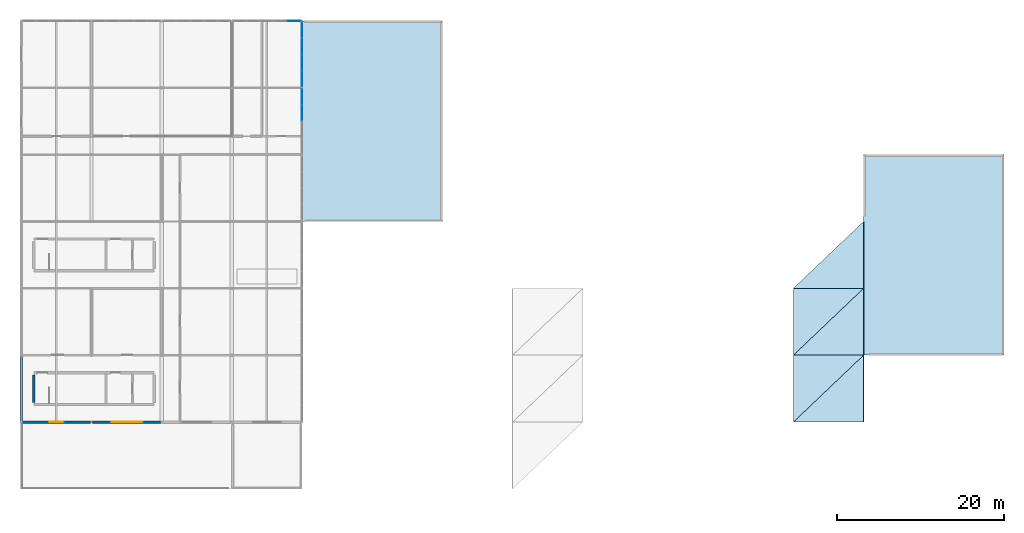
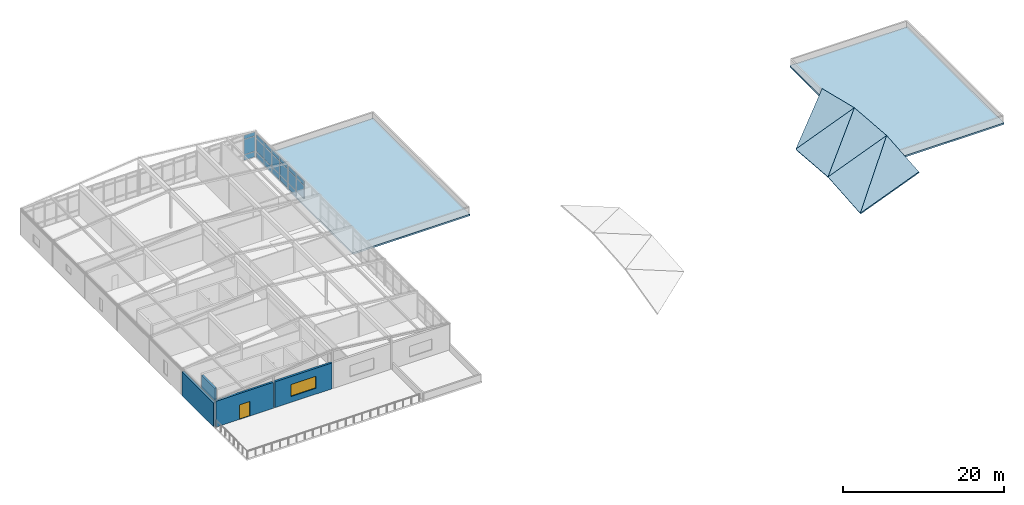
# One storey, part 17 of 25: 20 plates, 7 slabs, 4 walls, 1 door, 1 window, 2 openings, 3 elements without a shape of their own.
"""IFC4 building model written with IfcOpenShell, lengths in metres."""

from ifc_helpers import new_model, si_unit, direction, frame, frame_2d, origin, origin_2d, place, context, subcontext, project, spatial, polyline, rectangle, outline, extrude, material, layer, layer_set, type_object, element, fill, aggregate, save


model = new_model("IFC4")

# Units and contexts
model_context = context("Model", 3, precision=1e-05, world=origin(), true_north=direction((0.0, 1.0)))
body_context = subcontext(model_context, "Body", "Model", "MODEL_VIEW")
ifc_project = project(units=[si_unit("LENGTHUNIT", "METRE"), si_unit("AREAUNIT", "SQUARE_METRE"), si_unit("VOLUMEUNIT", "CUBIC_METRE"), si_unit("PLANEANGLEUNIT", "RADIAN"), si_unit("MASSUNIT", "GRAM", prefix="KILO")], contexts=[model_context])

# Site, building, storey
site_placement = place(None, origin())
site = spatial("IfcSite", under=ifc_project, at=site_placement, CompositionType="ELEMENT")
building_placement = place(site_placement, origin())
building = spatial("IfcBuilding", under=site, at=building_placement, Name="Kranzveld Transit Interchange", CompositionType="ELEMENT")
storey_placement = place(building_placement, frame((0.0, 0.0, 21.0400390625)))
storey = spatial("IfcBuildingStorey", under=building, at=storey_placement, Name="L05", CompositionType="ELEMENT", Elevation=21.0400390625)

# Curtain wall, plates
ifc_material_1 = material(Name="Bronze-anodised thermally broken aluminium", Category="aluminium")
ifc_layer_1 = layer(ifc_material_1, 0.18505859375)
ifc_layer_set_1 = layer_set([ifc_layer_1], Name="Bronze-anodised thermally broken aluminium")
curtain_wall_type = type_object("IfcCurtainWallType", Name="Control Crown Observation Facade CW-5", PredefinedType="USERDEFINED", material=ifc_layer_set_1)
curtain_wall_1_placement = place(storey_placement, origin())
curtain_wall_1 = element("IfcCurtainWall", 1, at=curtain_wall_1_placement, inside=storey, type_object=curtain_wall_type, Name="L05 Curtain Wall 05/N-05/P", ObjectType="CURTAIN WALL", PredefinedType="USERDEFINED")
ifc_material_2 = material(Name="Solar-control double glazing", Category="glass")
ifc_layer_2 = layer(ifc_material_2, 0.035888671875)
ifc_layer_set_2 = layer_set([ifc_layer_2], Name="Solar-control double glazing")
plate_type = type_object("IfcPlateType", Name="Curtain Panel Triple Glazing 36", PredefinedType="CURTAIN_PANEL", material=ifc_layer_set_2)
plate_1_placement = place(storey_placement, frame((33.60009765625, 100.97509765625, 0.932373046875), z_axis=(0.0, 0.0, 1.0), x_axis=(0.0, 1.0, 0.0)))
plate_1 = element("IfcPlate", 2, at=plate_1_placement, type_object=plate_type, Name="CW-5 panel 3.2", PredefinedType="CURTAIN_PANEL", context=body_context, shape_type="SweptSolid", body=[
    extrude(rectangle(XDim=1.885009765625, YDim=0.035888671875, at=origin_2d()), origin(), (0.0, 0.0, 1.0), 1.955078125),
])
plate_2_placement = place(storey_placement, frame((33.60009765625, 100.97509765625, 2.952392578125), z_axis=(0.0, 0.0, 1.0), x_axis=(0.0, 1.0, 0.0)))
plate_2 = element("IfcPlate", 3, at=plate_2_placement, type_object=plate_type, Name="CW-5 panel 3.3", PredefinedType="CURTAIN_PANEL", context=body_context, shape_type="SweptSolid", body=[
    extrude(rectangle(XDim=1.885009765625, YDim=0.035888671875, at=origin_2d()), origin(), (0.0, 0.0, 1.0), 0.6025390625),
])
plate_3_placement = place(storey_placement, frame((33.60009765625, 102.90869140625, 0.06494140625), z_axis=(0.0, 0.0, 1.0), x_axis=(0.0, 1.0, 0.0)))
plate_3 = element("IfcPlate", 4, at=plate_3_placement, type_object=plate_type, Name="CW-5 panel 4.1", PredefinedType="CURTAIN_PANEL", context=body_context, shape_type="SweptSolid", body=[
    extrude(rectangle(XDim=1.8525390625, YDim=0.035888671875, at=origin_2d()), origin(), (0.0, 0.0, 1.0), 0.802490234375),
])
plate_4_placement = place(storey_placement, frame((33.60009765625, 102.90869140625, 0.932373046875), z_axis=(0.0, 0.0, 1.0), x_axis=(0.0, 1.0, 0.0)))
plate_4 = element("IfcPlate", 5, at=plate_4_placement, type_object=plate_type, Name="CW-5 panel 4.2", PredefinedType="CURTAIN_PANEL", context=body_context, shape_type="SweptSolid", body=[
    extrude(rectangle(XDim=1.8525390625, YDim=0.035888671875, at=origin_2d()), origin(), (0.0, 0.0, 1.0), 1.955078125),
])
plate_5_placement = place(storey_placement, frame((33.60009765625, 102.90869140625, 2.952392578125), z_axis=(0.0, 0.0, 1.0), x_axis=(0.0, 1.0, 0.0)))
plate_5 = element("IfcPlate", 6, at=plate_5_placement, type_object=plate_type, Name="CW-5 panel 4.3", PredefinedType="CURTAIN_PANEL", context=body_context, shape_type="SweptSolid", body=[
    extrude(rectangle(XDim=1.8525390625, YDim=0.035888671875, at=origin_2d()), origin(), (0.0, 0.0, 1.0), 0.6025390625),
])
aggregate(curtain_wall_1, [plate_1, plate_2, plate_3, plate_4, plate_5])

curtain_wall_2_placement = place(storey_placement, origin())
curtain_wall_2 = element("IfcCurtainWall", 7, at=curtain_wall_2_placement, inside=storey, type_object=curtain_wall_type, Name="L05 Curtain Wall 05/P-05/Q", ObjectType="CURTAIN WALL", PredefinedType="USERDEFINED")
plate_6_placement = place(storey_placement, frame((33.60009765625, 105.09130859375, 0.06494140625), z_axis=(0.0, 0.0, 1.0), x_axis=(0.0, 1.0, 0.0)))
plate_6 = element("IfcPlate", 8, at=plate_6_placement, type_object=plate_type, Name="CW-5 panel 1.1", PredefinedType="CURTAIN_PANEL", context=body_context, shape_type="SweptSolid", body=[
    extrude(rectangle(XDim=1.8525390625, YDim=0.035888671875, at=origin_2d()), origin(), (0.0, 0.0, 1.0), 0.802490234375),
])
plate_7_placement = place(storey_placement, frame((33.60009765625, 105.09130859375, 0.932373046875), z_axis=(0.0, 0.0, 1.0), x_axis=(0.0, 1.0, 0.0)))
plate_7 = element("IfcPlate", 9, at=plate_7_placement, type_object=plate_type, Name="CW-5 panel 1.2", PredefinedType="CURTAIN_PANEL", context=body_context, shape_type="SweptSolid", body=[
    extrude(rectangle(XDim=1.8525390625, YDim=0.035888671875, at=origin_2d()), origin(), (0.0, 0.0, 1.0), 1.955078125),
])
plate_8_placement = place(storey_placement, frame((33.60009765625, 105.09130859375, 2.952392578125), z_axis=(0.0, 0.0, 1.0), x_axis=(0.0, 1.0, 0.0)))
plate_8 = element("IfcPlate", 10, at=plate_8_placement, type_object=plate_type, Name="CW-5 panel 1.3", PredefinedType="CURTAIN_PANEL", context=body_context, shape_type="SweptSolid", body=[
    extrude(rectangle(XDim=1.8525390625, YDim=0.035888671875, at=origin_2d()), origin(), (0.0, 0.0, 1.0), 0.6025390625),
])
plate_9_placement = place(storey_placement, frame((33.60009765625, 107.02490234375, 0.06494140625), z_axis=(0.0, 0.0, 1.0), x_axis=(0.0, 1.0, 0.0)))
plate_9 = element("IfcPlate", 11, at=plate_9_placement, type_object=plate_type, Name="CW-5 panel 2.1", PredefinedType="CURTAIN_PANEL", context=body_context, shape_type="SweptSolid", body=[
    extrude(rectangle(XDim=1.885009765625, YDim=0.035888671875, at=origin_2d()), origin(), (0.0, 0.0, 1.0), 0.802490234375),
])
plate_10_placement = place(storey_placement, frame((33.60009765625, 107.02490234375, 0.932373046875), z_axis=(0.0, 0.0, 1.0), x_axis=(0.0, 1.0, 0.0)))
plate_10 = element("IfcPlate", 12, at=plate_10_placement, type_object=plate_type, Name="CW-5 panel 2.2", PredefinedType="CURTAIN_PANEL", context=body_context, shape_type="SweptSolid", body=[
    extrude(rectangle(XDim=1.885009765625, YDim=0.035888671875, at=origin_2d()), origin(), (0.0, 0.0, 1.0), 1.955078125),
])
plate_11_placement = place(storey_placement, frame((33.60009765625, 107.02490234375, 2.952392578125), z_axis=(0.0, 0.0, 1.0), x_axis=(0.0, 1.0, 0.0)))
plate_11 = element("IfcPlate", 13, at=plate_11_placement, type_object=plate_type, Name="CW-5 panel 2.3", PredefinedType="CURTAIN_PANEL", context=body_context, shape_type="SweptSolid", body=[
    extrude(rectangle(XDim=1.885009765625, YDim=0.035888671875, at=origin_2d()), origin(), (0.0, 0.0, 1.0), 0.6025390625),
])
plate_12_placement = place(storey_placement, frame((33.60009765625, 108.97509765625, 0.06494140625), z_axis=(0.0, 0.0, 1.0), x_axis=(0.0, 1.0, 0.0)))
plate_12 = element("IfcPlate", 14, at=plate_12_placement, type_object=plate_type, Name="CW-5 panel 3.1", PredefinedType="CURTAIN_PANEL", context=body_context, shape_type="SweptSolid", body=[
    extrude(rectangle(XDim=1.885009765625, YDim=0.035888671875, at=origin_2d()), origin(), (0.0, 0.0, 1.0), 0.802490234375),
])
plate_13_placement = place(storey_placement, frame((33.60009765625, 108.97509765625, 0.932373046875), z_axis=(0.0, 0.0, 1.0), x_axis=(0.0, 1.0, 0.0)))
plate_13 = element("IfcPlate", 15, at=plate_13_placement, type_object=plate_type, Name="CW-5 panel 3.2", PredefinedType="CURTAIN_PANEL", context=body_context, shape_type="SweptSolid", body=[
    extrude(rectangle(XDim=1.885009765625, YDim=0.035888671875, at=origin_2d()), origin(), (0.0, 0.0, 1.0), 1.955078125),
])
plate_14_placement = place(storey_placement, frame((33.60009765625, 108.97509765625, 2.952392578125), z_axis=(0.0, 0.0, 1.0), x_axis=(0.0, 1.0, 0.0)))
plate_14 = element("IfcPlate", 16, at=plate_14_placement, type_object=plate_type, Name="CW-5 panel 3.3", PredefinedType="CURTAIN_PANEL", context=body_context, shape_type="SweptSolid", body=[
    extrude(rectangle(XDim=1.885009765625, YDim=0.035888671875, at=origin_2d()), origin(), (0.0, 0.0, 1.0), 0.6025390625),
])
plate_15_placement = place(storey_placement, frame((33.60009765625, 110.90869140625, 0.06494140625), z_axis=(0.0, 0.0, 1.0), x_axis=(0.0, 1.0, 0.0)))
plate_15 = element("IfcPlate", 17, at=plate_15_placement, type_object=plate_type, Name="CW-5 panel 4.1", PredefinedType="CURTAIN_PANEL", context=body_context, shape_type="SweptSolid", body=[
    extrude(rectangle(XDim=1.8525390625, YDim=0.035888671875, at=origin_2d()), origin(), (0.0, 0.0, 1.0), 0.802490234375),
])
plate_16_placement = place(storey_placement, frame((33.60009765625, 110.90869140625, 0.932373046875), z_axis=(0.0, 0.0, 1.0), x_axis=(0.0, 1.0, 0.0)))
plate_16 = element("IfcPlate", 18, at=plate_16_placement, type_object=plate_type, Name="CW-5 panel 4.2", PredefinedType="CURTAIN_PANEL", context=body_context, shape_type="SweptSolid", body=[
    extrude(rectangle(XDim=1.8525390625, YDim=0.035888671875, at=origin_2d()), origin(), (0.0, 0.0, 1.0), 1.955078125),
])
plate_17_placement = place(storey_placement, frame((33.60009765625, 110.90869140625, 2.952392578125), z_axis=(0.0, 0.0, 1.0), x_axis=(0.0, 1.0, 0.0)))
plate_17 = element("IfcPlate", 19, at=plate_17_placement, type_object=plate_type, Name="CW-5 panel 4.3", PredefinedType="CURTAIN_PANEL", context=body_context, shape_type="SweptSolid", body=[
    extrude(rectangle(XDim=1.8525390625, YDim=0.035888671875, at=origin_2d()), origin(), (0.0, 0.0, 1.0), 0.6025390625),
])
aggregate(curtain_wall_2, [plate_6, plate_7, plate_8, plate_9, plate_10, plate_11, plate_12, plate_13, plate_14, plate_15, plate_16, plate_17])

curtain_wall_3_placement = place(storey_placement, origin())
curtain_wall_3 = element("IfcCurtainWall", 20, at=curtain_wall_3_placement, inside=storey, type_object=curtain_wall_type, Name="L05 Curtain Wall 04/Q-05/Q", ObjectType="CURTAIN WALL", PredefinedType="USERDEFINED")
plate_18_placement = place(storey_placement, frame((32.663818359375, 112.0, 0.06494140625), z_axis=(0.0, 0.0, 1.0), x_axis=(1.0, 0.0, 0.0)))
plate_18 = element("IfcPlate", 21, at=plate_18_placement, type_object=plate_type, Name="CW-5 panel 5.1", PredefinedType="CURTAIN_PANEL", context=body_context, shape_type="SweptSolid", body=[
    extrude(rectangle(XDim=1.542236328125, YDim=0.035888671875, at=origin_2d()), origin(), (0.0, 0.0, 1.0), 0.802490234375),
])
plate_19_placement = place(storey_placement, frame((32.663818359375, 112.0, 0.9326171875), z_axis=(0.0, 0.0, 1.0), x_axis=(1.0, 0.0, 0.0)))
plate_19 = element("IfcPlate", 22, at=plate_19_placement, type_object=plate_type, Name="CW-5 panel 5.2", PredefinedType="CURTAIN_PANEL", context=body_context, shape_type="SweptSolid", body=[
    extrude(rectangle(XDim=1.542236328125, YDim=0.035888671875, at=origin_2d()), origin(), (0.0, 0.0, 1.0), 2.2548828125),
])
plate_20_placement = place(storey_placement, frame((32.663818359375, 112.0, 3.25244140625), z_axis=(0.0, 0.0, 1.0), x_axis=(1.0, 0.0, 0.0)))
plate_20 = element("IfcPlate", 23, at=plate_20_placement, type_object=plate_type, Name="CW-5 panel 5.3", PredefinedType="CURTAIN_PANEL", context=body_context, shape_type="SweptSolid", body=[
    extrude(rectangle(XDim=1.542236328125, YDim=0.035888671875, at=origin_2d()), origin(), (0.0, 0.0, 1.0), 0.6025390625),
])
aggregate(curtain_wall_3, [plate_18, plate_19, plate_20])

# Slabs
ifc_material_3 = material(Name="Concrete C35/45", Category="concrete")
ifc_layer_3 = layer(ifc_material_3, 0.179931640625)
ifc_layer_set_3 = layer_set([ifc_layer_3], Name="Concrete C35/45")
slab_type_1 = type_object("IfcSlabType", Name="Saddle Hypar Composite Roof Deck 180 C35/45", PredefinedType="ROOF", material=ifc_layer_set_3)
slab_1_placement = place(storey_placement, frame((92.39990234375, 64.0, -0.01806640625), z_axis=(-0.367295824931, -0.075311506987, 0.927050135593), x_axis=(0.92969040445, 0.0, 0.368341895355)))
element("IfcSlab", 24, at=slab_1_placement, inside=storey, type_object=slab_type_1, Name="Concourse Saddle Roof Facet 12/J-1", PredefinedType="ROOF", context=body_context, shape_type="SweptSolid", body=[
    extrude(outline(polyline([(0.0, 0.0), (9.035423452975664, -2.7755575615628914e-17), (9.274809714067903, 8.022784259495705), (0.0, 0.0)])), origin(), (0.0, 0.0, -1.0), 0.179931640625),
])
slab_2_placement = place(storey_placement, frame((92.39990234375, 64.0, -0.01806640625), z_axis=(-0.367271733108, -0.075340383322, 0.927057334096), x_axis=(0.68498565552, 0.652355914787, 0.32438620836)))
element("IfcSlab", 25, at=slab_2_placement, inside=storey, type_object=slab_type_1, Name="Concourse Saddle Roof Facet 12/J-2", PredefinedType="ROOF", context=body_context, shape_type="SweptSolid", body=[
    extrude(outline(polyline([(0.0, 0.0), (12.26324437115156, 1.5543122344752192e-15), (5.429745871241578, 5.9110532246698835), (0.0, 0.0)])), origin(), (0.0, 0.0, -1.0), 0.179931640625),
])
slab_3_placement = place(storey_placement, frame((92.39990234375, 72.0, 0.632080078125), z_axis=(-0.367272515802, 0.075312252275, 0.92705930975), x_axis=(0.929699657216, 0.0, 0.368318540631)))
element("IfcSlab", 26, at=slab_3_placement, inside=storey, type_object=slab_type_1, Name="Concourse Saddle Roof Facet 12/K-1", PredefinedType="ROOF", context=body_context, shape_type="SweptSolid", body=[
    extrude(outline(polyline([(0.0, 0.0), (9.035333528606023, 0.0), (8.795962445803035, 8.022784712375715), (0.0, 0.0)])), origin(), (0.0, 0.0, -1.0), 0.179931640625),
])
slab_4_placement = place(storey_placement, frame((92.39990234375, 72.0, 0.632080078125), z_axis=(-0.367295042203, 0.075339637759, 0.927048159998), x_axis=(0.705585734629, 0.671974695624, 0.224941724741)))
element("IfcSlab", 27, at=slab_4_placement, inside=storey, type_object=slab_type_1, Name="Concourse Saddle Roof Facet 12/K-2", PredefinedType="ROOF", context=body_context, shape_type="SweptSolid", body=[
    extrude(outline(polyline([(0.0, 0.0), (11.905210199282783, -4.440892098500626e-16), (5.229552493460835, 6.088880945566495), (0.0, 0.0)])), origin(), (0.0, 0.0, -1.0), 0.179931640625),
])
slab_5_placement = place(storey_placement, frame((92.39990234375, 80.0, -0.01806640625), z_axis=(-0.359231747943, 0.221029409155, 0.906696504657), x_axis=(0.92969040445, 0.0, 0.368341895355)))
element("IfcSlab", 28, at=slab_5_placement, inside=storey, type_object=slab_type_1, Name="Concourse Saddle Roof Facet 12/L-1", PredefinedType="ROOF", context=body_context, shape_type="SweptSolid", body=[
    extrude(outline(polyline([(0.0, 0.0), (9.035423452975664, 1.1102230246251565e-16), (8.317084815257857, 8.202880674400836), (0.0, 0.0)])), origin(), (0.0, 0.0, -1.0), 0.179931640625),
])
ifc_material_4 = material(Name="Concrete C35/45", Category="concrete")
ifc_layer_4 = layer(ifc_material_4, 0.25)
ifc_layer_set_4 = layer_set([ifc_layer_4], Name="Concrete C35/45")
slab_type_2 = type_object("IfcSlabType", Name="Technical Setback Roof Slab 250 C35/45", PredefinedType="ROOF", material=ifc_layer_set_4)
slab_6_placement = place(storey_placement, frame((0.0, 0.0, -0.25)))
element("IfcSlab", 29, at=slab_6_placement, inside=storey, type_object=slab_type_2, Name="L05 Flat Roof Slab 2", PredefinedType="ROOF", context=body_context, shape_type="SweptSolid", body=[
    extrude(outline(polyline([(50.39990234375, 112.0), (50.39990234375, 88.0), (33.60009765625, 88.0), (33.60009765625, 112.0), (50.39990234375, 112.0)])), origin(), (0.0, 0.0, 1.0), 0.25),
])
slab_7_placement = place(storey_placement, frame((0.0, 0.0, -0.25)))
element("IfcSlab", 30, at=slab_7_placement, inside=storey, type_object=slab_type_2, Name="L05 Flat Roof Slab 3", PredefinedType="ROOF", context=body_context, shape_type="SweptSolid", body=[
    extrude(outline(polyline([(117.60009765625, 96.0), (117.60009765625, 72.0), (100.800048828125, 72.0), (100.800048828125, 96.0), (117.60009765625, 96.0)])), origin(), (0.0, 0.0, 1.0), 0.25),
])

# Walls
ifc_material_5 = material(Name="Concrete C40/50", Category="concrete")
ifc_layer_5 = layer(ifc_material_5, 0.27490234375)
ifc_layer_set_5 = layer_set([ifc_layer_5], Name="Concrete C40/50")
wall_type_1 = type_object("IfcWallType", Name="Core Upper Wall RC 275 C40/50", PredefinedType="SHEAR", material=ifc_layer_set_5)
wall_1_placement = place(storey_placement, frame((1.5, 66.364990234375, 0.0), z_axis=(0.0, 0.0, 1.0), x_axis=(0.0, 1.0, 0.0)))
element("IfcWall", 31, at=wall_1_placement, inside=storey, type_object=wall_type_1, Name="L05 Operations Core C1 Shear Wall W", PredefinedType="SHEAR", context=body_context, shape_type="SweptSolid", body=[
    extrude(rectangle(XDim=3.27001953125, YDim=0.27490234375, at=frame_2d((1.635009765625, 0.0))), origin(), (0.0, 0.0, 1.0), 3.919921875),
])
ifc_material_6 = material(Name="Ochre Pretoria sandstone cladding, 45 MPa", Category="masonry")
ifc_layer_6 = layer(ifc_material_6, 0.300048828125)
ifc_layer_set_6 = layer_set([ifc_layer_6], Name="Ochre Pretoria sandstone cladding, 45 MPa")
wall_type_2 = type_object("IfcWallType", Name="Exterior Sandstone Spandrel Wall 300", PredefinedType="SOLIDWALL", material=ifc_layer_set_6)
wall_2_placement = place(storey_placement, frame((0.0, 64.10009765625, 0.0), z_axis=(0.0, 0.0, 1.0), x_axis=(0.0, 1.0, 0.0)))
element("IfcWall", 32, at=wall_2_placement, inside=storey, type_object=wall_type_2, Name="L05 Clinker Facade Wall 01/J-01/K", PredefinedType="SOLIDWALL", context=body_context, shape_type="SweptSolid", body=[
    extrude(rectangle(XDim=7.809814453125, YDim=0.300048828125, at=frame_2d((3.90478515625, 0.0))), origin(), (0.0, 0.0, 1.0), 3.619873046875),
])

# Wall, opening, door
wall_3_placement = place(storey_placement, frame((0.10009765625, 64.0, 0.0), z_axis=(0.0, 0.0, 1.0), x_axis=(1.0, 0.0, 0.0)))
wall_3 = element("IfcWall", 33, at=wall_3_placement, inside=storey, type_object=wall_type_2, Name="L05 Clinker Facade Wall 01/J-02/J", PredefinedType="SOLIDWALL", context=body_context, shape_type="SweptSolid", body=[
    extrude(rectangle(XDim=8.197998046875, YDim=0.300048828125, at=frame_2d((4.09912109375, 0.0))), origin(), (0.0, 0.0, 1.0), 3.919921875),
])
opening_1_placement = place(wall_3_placement, frame((4.874267578125, 0.0, 0.0), z_axis=(0.0, 0.0, 1.0), x_axis=(-1.0, 0.0, 0.0)))
opening_1 = element("IfcOpeningElement", 34, at=opening_1_placement, cuts=wall_3, Name="Opening ED-L05-20", PredefinedType="OPENING", context=body_context, shape_type="SweptSolid", body=[
    extrude(rectangle(XDim=1.550048828125, YDim=2.199951171875, at=frame_2d((0.77490234375, 1.10009765625))), frame((0.0, 0.159912109375, 0.0), z_axis=(0.0, -1.0, 0.0), x_axis=(1.0, 0.0, 0.0)), (0.0, 0.0, 1.0), 0.320068359375),
])
ifc_material_7 = material(Name="Bronze-anodised thermally broken aluminium", Category="aluminium")
door_type = type_object("IfcDoorType", Name="Walkable Terrace Glazed Double Door 1550x2200", OperationType="NOTDEFINED", PredefinedType="DOOR", material=ifc_material_7)
door_placement = place(opening_1_placement, origin())
door = element("IfcDoor", 35, at=door_placement, inside=storey, type_object=door_type, Name="L05 Terrace Door TERR_L05_OPS", OperationType="DOUBLE_DOOR_SINGLE_SWING", OverallHeight=2.199951171875, OverallWidth=1.550048828125, PredefinedType="DOOR", context=body_context, shape_type="SweptSolid", body=[
    extrude(rectangle(XDim=1.550048828125, YDim=2.199951171875, at=frame_2d((0.77490234375, 1.10009765625))), frame((0.0, 0.02490234375, 0.0), z_axis=(0.0, -1.0, 0.0), x_axis=(1.0, 0.0, 0.0)), (0.0, 0.0, 1.0), 0.050048828125),
])
fill(opening_1, door)

# Wall, opening, window
wall_4_placement = place(storey_placement, frame((8.501708984375, 64.0, 0.0), z_axis=(0.0, 0.0, 1.0), x_axis=(1.0, 0.0, 0.0)))
wall_4 = element("IfcWall", 36, at=wall_4_placement, inside=storey, type_object=wall_type_2, Name="L05 Clinker Facade Wall 02/J-03/J", PredefinedType="SOLIDWALL", context=body_context, shape_type="SweptSolid", body=[
    extrude(rectangle(XDim=8.196533203125, YDim=0.300048828125, at=frame_2d((4.09814453125, 0.0))), origin(), (0.0, 0.0, 1.0), 3.919921875),
])
opening_2_placement = place(wall_4_placement, frame((2.298095703125, 0.0, 0.89990234375), z_axis=(0.0, 0.0, 1.0), x_axis=(1.0, 0.0, 0.0)))
opening_2 = element("IfcOpeningElement", 37, at=opening_2_placement, cuts=wall_4, Name="Opening W-01", PredefinedType="OPENING", context=body_context, shape_type="SweptSolid", body=[
    extrude(rectangle(XDim=3.60009765625, YDim=1.800048828125, at=frame_2d((1.800048828125, 0.89990234375))), frame((0.0, 0.159912109375, 0.0), z_axis=(0.0, -1.0, 0.0), x_axis=(1.0, 0.0, 0.0)), (0.0, 0.0, 1.0), 0.320068359375),
])
ifc_material_8 = material(Name="Solar-control double glazing", Category="glass")
window_type = type_object("IfcWindowType", Name="Window Ribbon Triple 3600x1800", PartitioningType="TRIPLE_PANEL_VERTICAL", PredefinedType="WINDOW", material=ifc_material_8)
window_placement = place(opening_2_placement, origin())
window = element("IfcWindow", 38, at=window_placement, inside=storey, type_object=window_type, Name="L05 Facade Window 02/J", OverallHeight=1.800048828125, OverallWidth=3.60009765625, PartitioningType="TRIPLE_PANEL_VERTICAL", PredefinedType="WINDOW", context=body_context, shape_type="SweptSolid", body=[
    extrude(rectangle(XDim=3.60009765625, YDim=1.800048828125, at=frame_2d((1.800048828125, 0.89990234375))), frame((0.0, 0.030029296875, 0.0), z_axis=(0.0, -1.0, 0.0), x_axis=(1.0, 0.0, 0.0)), (0.0, 0.0, 1.0), 0.06005859375),
])
fill(opening_2, window)

save(model, "model.ifc")
